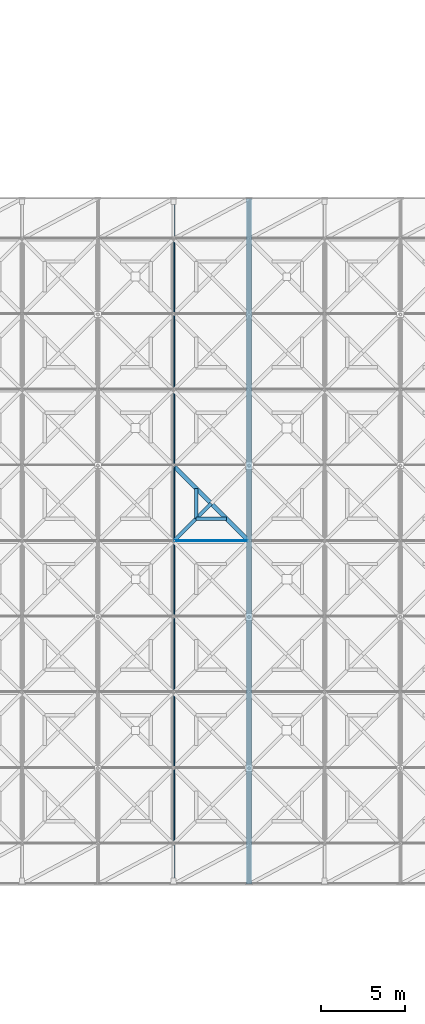
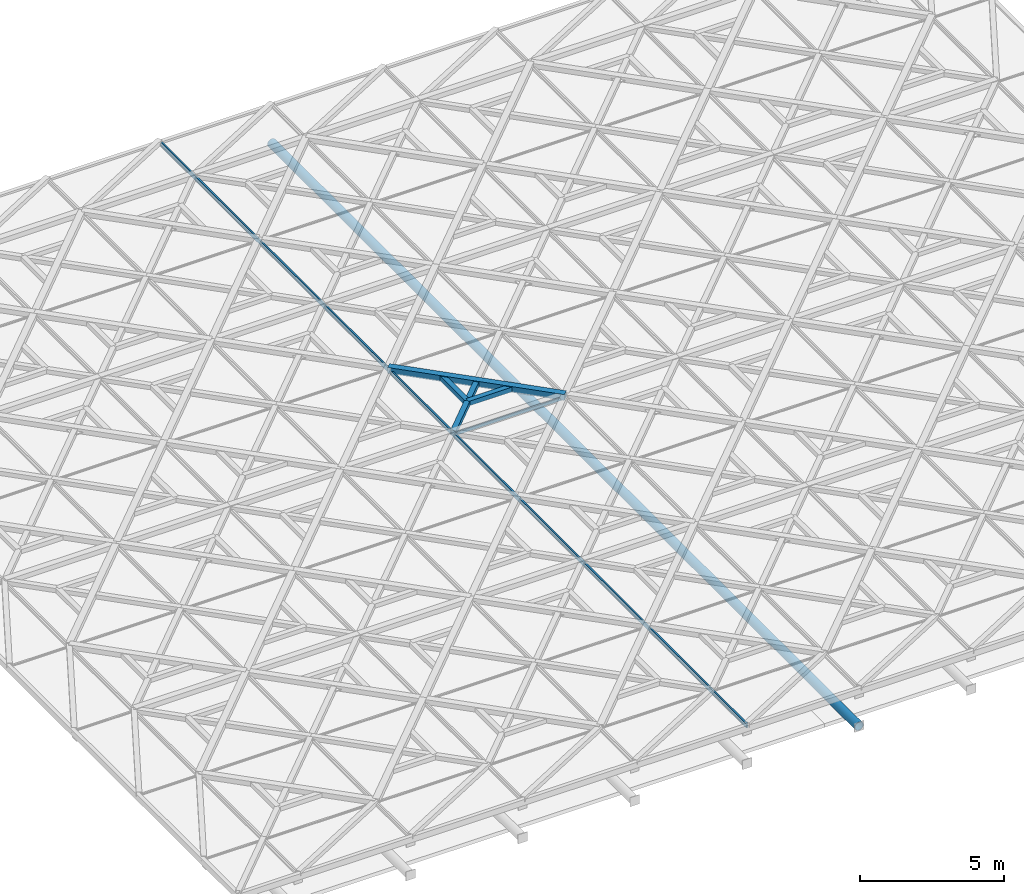
# One storey, part 32 of 80: 7 members, 1 element without a shape of its own.
"""IFC4 building model written with IfcOpenShell, lengths in metres."""

from ifc_helpers import new_model, si_unit, direction, frame, origin, origin_2d, place, context, subcontext, project, spatial, rectangle, hollow_rectangle, hollow_circle, extrude, material, material_profile, profile_set, type_object, element, aggregate, save


model = new_model("IFC4")

# Units and contexts
model_context = context("Model", 3, precision=1e-05, world=origin(), true_north=direction((0.0, 1.0)))
body_context = subcontext(model_context, "Body", "Model", "MODEL_VIEW")
ifc_project = project(units=[si_unit("LENGTHUNIT", "METRE"), si_unit("AREAUNIT", "SQUARE_METRE"), si_unit("VOLUMEUNIT", "CUBIC_METRE"), si_unit("PLANEANGLEUNIT", "RADIAN"), si_unit("MASSUNIT", "GRAM", prefix="KILO"), si_unit("THERMODYNAMICTEMPERATUREUNIT", "KELVIN"), si_unit("POWERUNIT", "WATT")], contexts=[model_context])

# Site, building, storey
site_placement = place(None, origin())
site = spatial("IfcSite", under=ifc_project, at=site_placement, CompositionType="ELEMENT")
building_placement = place(site_placement, origin())
building = spatial("IfcBuilding", under=site, at=building_placement, Name="Tallowbark Science Centre", CompositionType="ELEMENT")
storey_placement = place(building_placement, frame((0.0, 0.0, 25.949951171875)))
storey = spatial("IfcBuildingStorey", under=building, at=storey_placement, Name="ROOF", CompositionType="ELEMENT", Elevation=25.949951171875)

# Curtain wall, members
ifc_material_1 = material(Name="Blue-Tinted Laminated Low-E Skylight Glass", Category="glass")
curtain_wall_type = type_object("IfcCurtainWallType", Name="CW-SKY-ROOF", PredefinedType="NOTDEFINED", material=ifc_material_1)
curtain_wall_placement = place(storey_placement, origin())
curtain_wall = element("IfcCurtainWall", 1, at=curtain_wall_placement, inside=storey, type_object=curtain_wall_type, Name="Exhibition Star-Screen Skylight Bay 6", PredefinedType="NOTDEFINED")
ifc_material_2 = material(Name="Anodised Architectural Aluminium Alloy 6063-T6", Category="aluminium")
ifc_material_profile_1 = material_profile(ifc_material_2, rectangle(XDim=0.06494140625, YDim=0.179931640625, at=origin_2d()), Name="ALU65x180")
ifc_profile_set_1 = profile_set([ifc_material_profile_1], Name="Anodised Architectural Aluminium Alloy 6063-T6")
member_type_1 = type_object("IfcMemberType", Name="CWM-SKY-MUL", PredefinedType="MULLION", material=ifc_profile_set_1)
member_1_placement = place(storey_placement, frame((76.5400390625, 2.14990234375, 0.35205078125), z_axis=(0.0, 1.0, 0.0), x_axis=(-1.0, 0.0, 0.0)))
member_1 = element("IfcMember", 2, at=member_1_placement, type_object=member_type_1, Name="Skylight Bay 6 Mullion W", PredefinedType="MULLION", context=body_context, shape_type="SweptSolid", body=[
    extrude(rectangle(XDim=0.06494140625, YDim=0.179931640625, at=origin_2d()), origin(), (0.0, 0.0, 1.0), 40.7001953125),
])
ifc_material_profile_2 = material_profile(ifc_material_2, rectangle(XDim=0.054931640625, YDim=0.1201171875, at=origin_2d()), Name="ALU55x120")
ifc_profile_set_2 = profile_set([ifc_material_profile_2], Name="Anodised Architectural Aluminium Alloy 6063-T6")
member_type_2 = type_object("IfcMemberType", Name="CWM-SKY-TRN", PredefinedType="USERDEFINED", material=ifc_profile_set_2)
member_2_placement = place(storey_placement, frame((76.580078125, 22.5400390625, 0.35205078125), z_axis=(1.0, 0.0, 0.0), x_axis=(0.0, 1.0, 0.0)))
member_2 = element("IfcMember", 3, at=member_2_placement, type_object=member_type_2, Name="Skylight Bay 6 Transom 6", ObjectType="TRANSOM", PredefinedType="USERDEFINED", context=body_context, shape_type="SweptSolid", body=[
    extrude(rectangle(XDim=0.054931640625, YDim=0.1201171875, at=origin_2d()), origin(), (0.0, 0.0, 1.0), 4.33984375),
])
aggregate(curtain_wall, [member_1, member_2])

# Members
ifc_material_3 = material(Name="White Architectural Painted Steel Grade C350L0 (350 MPa)", Category="steel")
ifc_material_profile_3 = material_profile(ifc_material_3, hollow_rectangle(XDim=0.25, YDim=0.25, WallThickness=0.009033203125, at=origin_2d()), Name="250x250x9.0SHS")
ifc_profile_set_3 = profile_set([ifc_material_profile_3], Name="White Architectural Painted Steel Grade C350L0 (350 MPa)")
member_type_3 = type_object("IfcMemberType", Name="SCR-CHD200", PredefinedType="CHORD", material=ifc_profile_set_3)
member_3_placement = place(storey_placement, frame((76.5, 27.0, 0.449951171875), z_axis=(0.707106781187, -0.707106781187, 0.0), x_axis=(0.707106781187, 0.707106781187, 0.0)))
element("IfcMember", 4, at=member_3_placement, inside=storey, type_object=member_type_3, Name="Star Screen Octagram Diamond Chord TOP-64-4", PredefinedType="CHORD", context=body_context, shape_type="SweptSolid", body=[
    extrude(hollow_rectangle(XDim=0.25, YDim=0.25, WallThickness=0.009033203125, at=origin_2d()), origin(), (0.0, 0.0, 1.0), 6.364013671875),
])
ifc_material_profile_4 = material_profile(ifc_material_3, hollow_rectangle(XDim=0.199951171875, YDim=0.199951171875, WallThickness=0.009033203125, at=origin_2d()), Name="200x200x9.0SHS")
ifc_profile_set_4 = profile_set([ifc_material_profile_4], Name="White Architectural Painted Steel Grade C350L0 (350 MPa)")
member_type_4 = type_object("IfcMemberType", Name="SCR-STAR139", PredefinedType="BRACE", material=ifc_profile_set_4)
member_4_placement = place(storey_placement, frame((76.5, 22.5, 0.449951171875), z_axis=(0.707106781187, 0.707106781187, 0.0), x_axis=(-0.707106781187, 0.707106781187, 0.0)))
element("IfcMember", 5, at=member_4_placement, inside=storey, type_object=member_type_4, Name="Star Screen Continuous X-Diagonal D1A TOP-64", PredefinedType="BRACE", context=body_context, shape_type="SweptSolid", body=[
    extrude(hollow_rectangle(XDim=0.199951171875, YDim=0.199951171875, WallThickness=0.009033203125, at=origin_2d()), origin(), (0.0, 0.0, 1.0), 3.181884765625),
])
ifc_material_profile_5 = material_profile(ifc_material_3, hollow_rectangle(XDim=0.199951171875, YDim=0.199951171875, WallThickness=0.009033203125, at=origin_2d()), Name="200x200x9.0SHS")
ifc_profile_set_5 = profile_set([ifc_material_profile_5], Name="White Architectural Painted Steel Grade C350L0 (350 MPa)")
member_type_5 = type_object("IfcMemberType", Name="SCR-SUB150", PredefinedType="BRACE", material=ifc_profile_set_5)
for number, where, z_axis, x_axis, name in (
    (6, (77.85009765625, 23.85009765625, 0.449951171875), (1.0, 0.0, 0.0), (0.0, 1.0, 0.0), "Star Screen Octagram Point Ray TOP-64-1"),
    (7, (77.85009765625, 23.85009765625, 0.449951171875), (0.0, 1.0, 0.0), (-1.0, 0.0, 0.0), "Star Screen Octagram Point Ray TOP-64-2"),
):
    element("IfcMember", number, at=place(storey_placement, frame(where, z_axis=z_axis, x_axis=x_axis)), inside=storey, type_object=member_type_5, Name=name, PredefinedType="BRACE", context=body_context, shape_type="SweptSolid", body=[
        extrude(hollow_rectangle(XDim=0.199951171875, YDim=0.199951171875, WallThickness=0.009033203125, at=origin_2d()), origin(), (0.0, 0.0, 1.0), 1.7998046875),
    ])
ifc_material_profile_6 = material_profile(ifc_material_3, hollow_circle(Radius=0.177734375, WallThickness=0.0126953125, at=origin_2d()), Name="355.6x12.7CHS")
ifc_profile_set_6 = profile_set([ifc_material_profile_6], Name="White Architectural Painted Steel Grade C350L0 (350 MPa)")
member_type_6 = type_object("IfcMemberType", Name="TR-CHD355", PredefinedType="CHORD", material=ifc_profile_set_6)
member_5_placement = place(storey_placement, frame((81.0, 2.10009765625, -1.199951171875), z_axis=(0.0, 1.0, 0.0), x_axis=(-1.0, 0.0, 0.0)))
element("IfcMember", 8, at=member_5_placement, inside=storey, type_object=member_type_6, Name="Exhibition Roof Truss Bottom Chord 6", PredefinedType="CHORD", context=body_context, shape_type="SweptSolid", body=[
    extrude(hollow_circle(Radius=0.177734375, WallThickness=0.0126953125, at=origin_2d()), origin(), (0.0, 0.0, 1.0), 40.7998046875),
])

save(model, "model.ifc")
